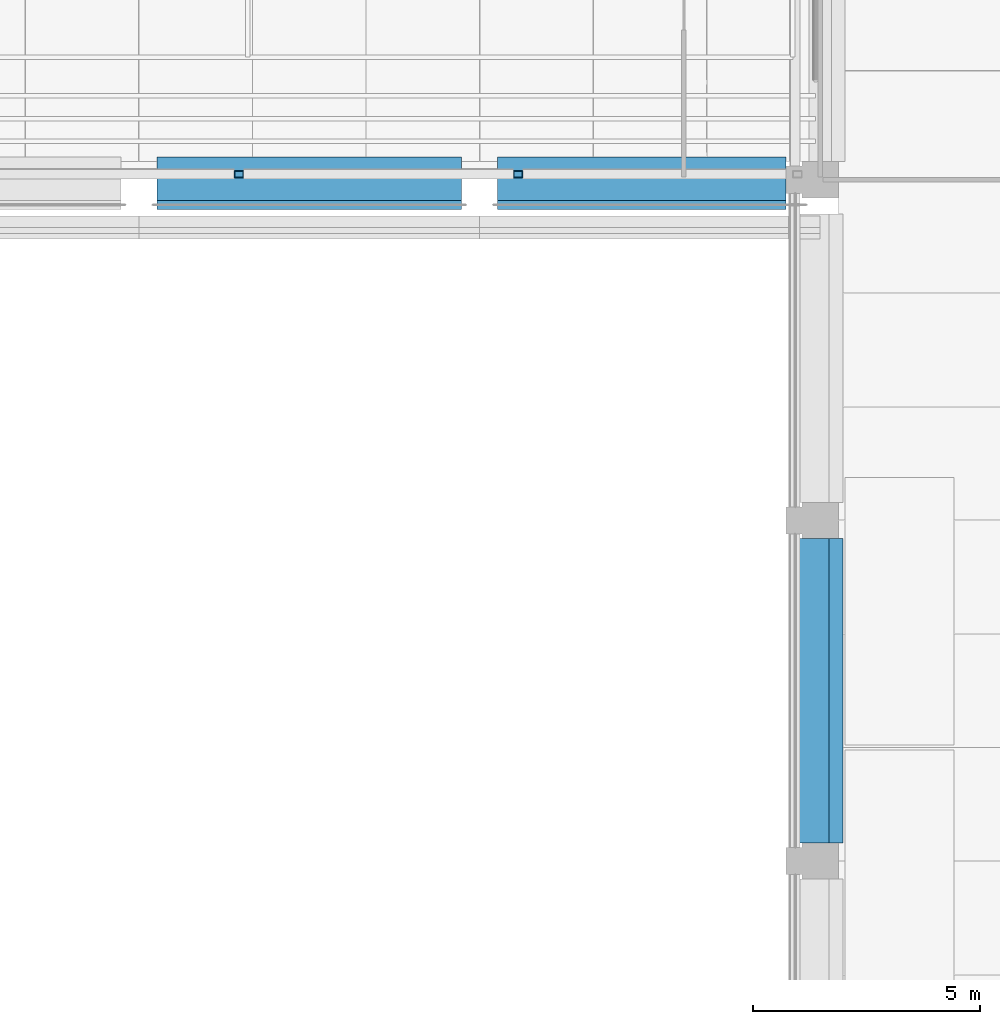
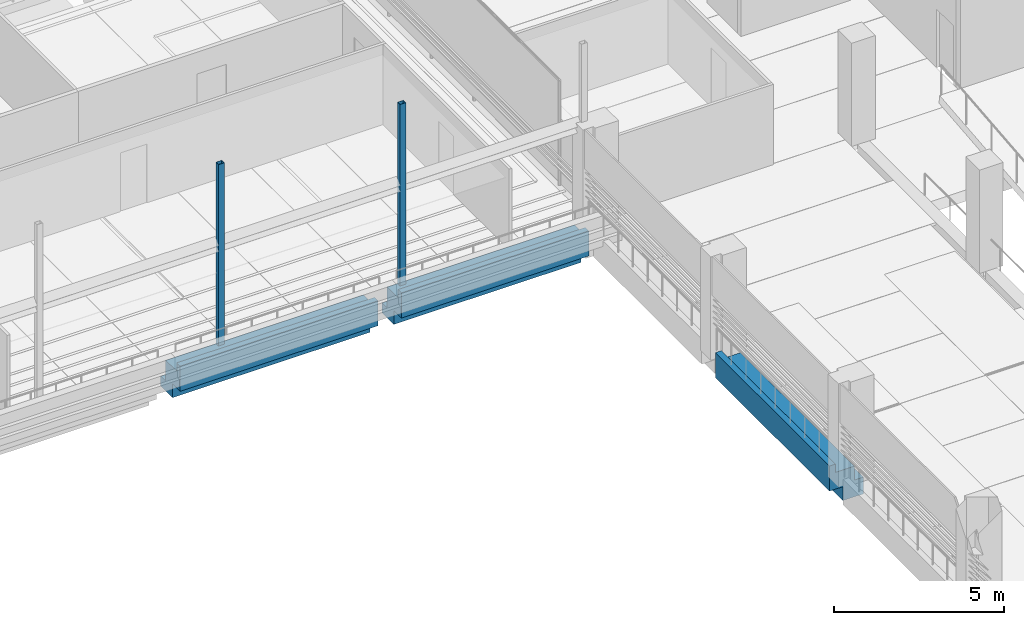
# One storey, part 24 of 62: 3 beams, 2 members.
"""IFC4 building model written with IfcOpenShell, lengths in metres."""

from ifc_helpers import new_model, si_unit, direction, frame, origin, origin_2d, place, context, subcontext, project, spatial, polyline, hollow_rectangle, outline, extrude, material, material_profile, profile_set, type_object, element, save


model = new_model("IFC4")

# Units and contexts
model_context = context("Model", 3, precision=1e-05, world=origin(), true_north=direction((0.0, 1.0)))
body_context = subcontext(model_context, "Body", "Model", "MODEL_VIEW")
ifc_project = project(units=[si_unit("LENGTHUNIT", "METRE"), si_unit("AREAUNIT", "SQUARE_METRE"), si_unit("VOLUMEUNIT", "CUBIC_METRE"), si_unit("PLANEANGLEUNIT", "RADIAN"), si_unit("MASSUNIT", "GRAM", prefix="KILO")], contexts=[model_context])

# Site, building, storey
site_placement = place(None, origin())
site = spatial("IfcSite", under=ifc_project, at=site_placement, CompositionType="ELEMENT")
building_placement = place(site_placement, origin())
building = spatial("IfcBuilding", under=site, at=building_placement, Name="Cour d'Honneur Mobility Palace", CompositionType="ELEMENT")
storey_placement = place(building_placement, frame((0.0, 0.0, 19.300048828125)))
storey = spatial("IfcBuildingStorey", under=building, at=storey_placement, Name="L05", CompositionType="ELEMENT", Elevation=19.300048828125)

# Beams
ifc_material_1 = material(Name="Concrete C45", Category="concrete")
ifc_material_profile_1 = material_profile(ifc_material_1, outline(polyline([(0.5, -1.10009765625), (0.5, -0.75), (0.199951171875, -0.75), (0.199951171875, 0.0), (-0.199951171875, 0.0), (-0.449951171875, 0.0), (-0.449951171875, 0.300048828125), (-0.64990234375, 0.300048828125), (-0.64990234375, -0.60009765625), (-0.199951171875, -0.60009765625), (-0.199951171875, -1.10009765625), (0.5, -1.10009765625)])), Name="Ledger Beam 400x1100 ledge left 350 facade right")
ifc_profile_set_1 = profile_set([ifc_material_profile_1], Name="Concrete C45")
beam_type_1 = type_object("IfcBeamType", Name="Ledger Beam 400x1100 ledge left 350 facade right", PredefinedType="BEAM", material=ifc_profile_set_1)
beam_1_placement = place(storey_placement, frame((130.300048828125, 45.0, 0.0), z_axis=(1.0, 0.0, 0.0), x_axis=(0.0, 1.0, 0.0)))
element("IfcBeam", 1, at=beam_1_placement, inside=storey, type_object=beam_type_1, Name="Precast beam B2 17-18 L05", PredefinedType="BEAM", context=body_context, shape_type="SweptSolid", body=[
    extrude(outline(polyline([(0.5, -1.10009765625), (0.5, -0.75), (0.199951171875, -0.75), (0.199951171875, 0.0), (-0.199951171875, 0.0), (-0.449951171875, 0.0), (-0.449951171875, 0.300048828125), (-0.64990234375, 0.300048828125), (-0.64990234375, -0.60009765625), (-0.199951171875, -0.60009765625), (-0.199951171875, -1.10009765625), (0.5, -1.10009765625)])), origin(), (0.0, 0.0, 1.0), 6.699951171875),
])
beam_2_placement = place(storey_placement, frame((137.800048828125, 45.0, 0.0), z_axis=(1.0, 0.0, 0.0), x_axis=(0.0, 1.0, 0.0)))
element("IfcBeam", 2, at=beam_2_placement, inside=storey, type_object=beam_type_1, Name="Precast beam B2 18-19 L05", PredefinedType="BEAM", context=body_context, shape_type="SweptSolid", body=[
    extrude(outline(polyline([(0.5, -1.10009765625), (0.5, -0.75), (0.199951171875, -0.75), (0.199951171875, 0.0), (-0.199951171875, 0.0), (-0.449951171875, 0.0), (-0.449951171875, 0.300048828125), (-0.64990234375, 0.300048828125), (-0.64990234375, -0.60009765625), (-0.199951171875, -0.60009765625), (-0.199951171875, -1.10009765625), (0.5, -1.10009765625)])), origin(), (0.0, 0.0, 1.0), 6.349853515625),
])
ifc_material_2 = material(Name="Concrete C45", Category="concrete")
ifc_material_profile_2 = material_profile(ifc_material_2, outline(polyline([(0.199951171875, -1.10009765625), (0.199951171875, -0.60009765625), (0.64990234375, -0.60009765625), (0.64990234375, 0.300048828125), (0.449951171875, 0.300048828125), (0.449951171875, 0.0), (0.199951171875, 0.0), (-0.199951171875, 0.0), (-0.199951171875, -0.5), (-0.5, -0.5), (-0.5, -1.10009765625), (0.199951171875, -1.10009765625)])), Name="Ledger Beam 400x1100 ledge right 600 facade left")
ifc_profile_set_2 = profile_set([ifc_material_profile_2], Name="Concrete C45")
beam_type_2 = type_object("IfcBeamType", Name="Ledger Beam 400x1100 ledge right 600 facade left", PredefinedType="BEAM", material=ifc_profile_set_2)
beam_3_placement = place(storey_placement, frame((144.89990234375, 30.39990234375, 0.0), z_axis=(0.0, 1.0, 0.0), x_axis=(-1.0, 0.0, 0.0)))
element("IfcBeam", 3, at=beam_3_placement, inside=storey, type_object=beam_type_2, Name="Precast beam B15 E-F L05", PredefinedType="BEAM", context=body_context, shape_type="SweptSolid", body=[
    extrude(outline(polyline([(0.199951171875, -1.10009765625), (0.199951171875, -0.60009765625), (0.64990234375, -0.60009765625), (0.64990234375, 0.300048828125), (0.449951171875, 0.300048828125), (0.449951171875, 0.0), (0.199951171875, 0.0), (-0.199951171875, 0.0), (-0.199951171875, -0.5), (-0.5, -0.5), (-0.5, -1.10009765625), (0.199951171875, -1.10009765625)])), origin(), (0.0, 0.0, 1.0), 6.7001953125),
])

# Members
ifc_material_3 = material(Name="Steel S355", Category="steel")
ifc_material_profile_3 = material_profile(ifc_material_3, hollow_rectangle(XDim=0.14990234375, YDim=0.199951171875, WallThickness=0.008056640625, at=origin_2d()), Name="RHS 200x150x8")
ifc_profile_set_3 = profile_set([ifc_material_profile_3], Name="Steel S355")
member_type = type_object("IfcMemberType", Name="Pergola post RHS 200x150x8", PredefinedType="POST", material=ifc_profile_set_3)
for number, where, z_axis, x_axis, name in (
    (4, (132.10009765625, 45.125, 0.0), (0.0, 0.0, 1.0), (0.0, 1.0, 0.0), "Pergola post FE-S3"),
    (5, (138.25, 45.125, 0.0), (0.0, 0.0, 1.0), (0.0, 1.0, 0.0), "Pergola post FE-S4"),
):
    element("IfcMember", number, at=place(storey_placement, frame(where, z_axis=z_axis, x_axis=x_axis)), inside=storey, type_object=member_type, Name=name, PredefinedType="POST", context=body_context, shape_type="SweptSolid", body=[
        extrude(hollow_rectangle(XDim=0.14990234375, YDim=0.199951171875, WallThickness=0.008056640625, at=origin_2d()), origin(), (0.0, 0.0, 1.0), 6.5),
    ])

save(model, "model.ifc")
